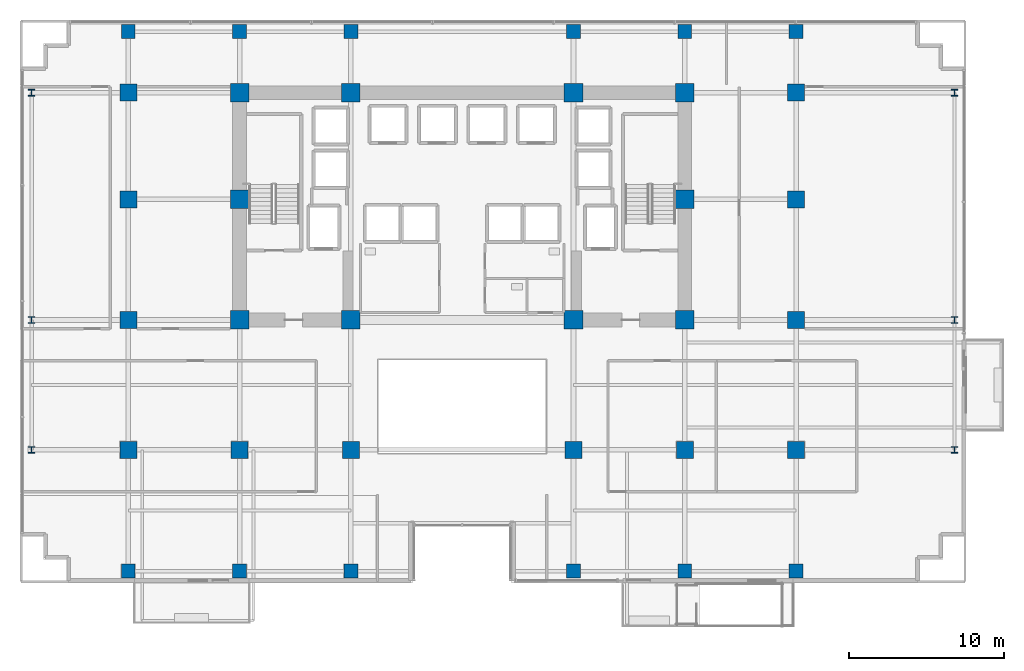
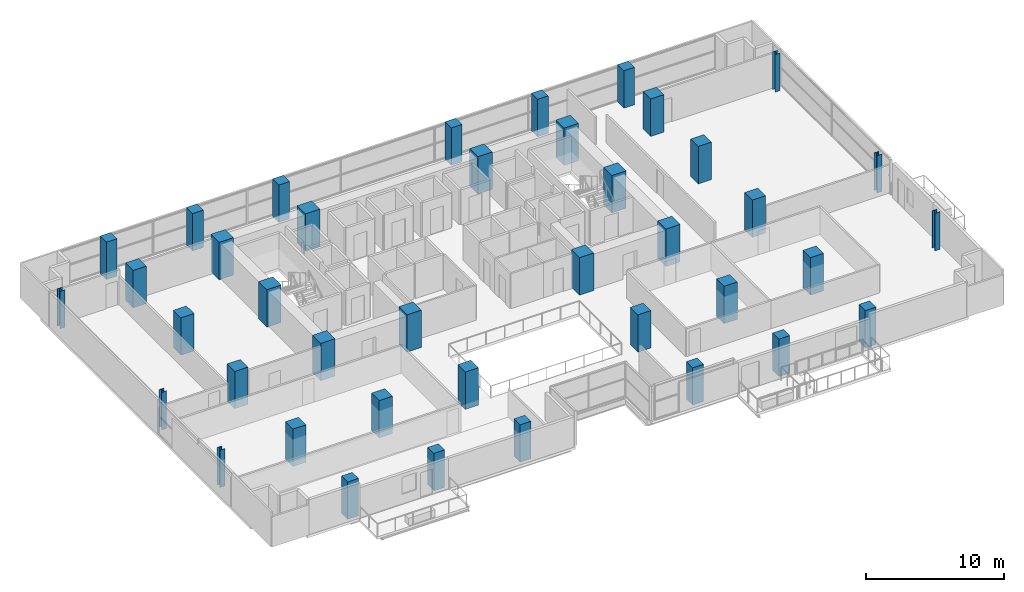
# One storey, part 1 of 28: 40 columns.
"""IFC4 building model written with IfcOpenShell, lengths in metres."""

from ifc_helpers import new_model, si_unit, direction, frame, origin, origin_2d, place, context, subcontext, project, spatial, rectangle, i_section, extrude, material, material_profile, profile_set, type_object, element, save


model = new_model("IFC4")

# Units and contexts
model_context = context("Model", 3, precision=1e-05, world=origin(), true_north=direction((0.0, 1.0)))
body_context = subcontext(model_context, "Body", "Model", "MODEL_VIEW")
ifc_project = project(units=[si_unit("LENGTHUNIT", "METRE"), si_unit("AREAUNIT", "SQUARE_METRE"), si_unit("VOLUMEUNIT", "CUBIC_METRE"), si_unit("PLANEANGLEUNIT", "RADIAN"), si_unit("MASSUNIT", "GRAM", prefix="KILO")], contexts=[model_context])

# Site, building, storey
site_placement = place(None, origin())
site = spatial("IfcSite", under=ifc_project, at=site_placement, CompositionType="ELEMENT")
building_placement = place(site_placement, origin())
building = spatial("IfcBuilding", under=site, at=building_placement, Name="Zarnakvel Exchange Tower", CompositionType="ELEMENT")
storey_placement = place(building_placement, frame((0.0, 0.0, 57.10009765625)))
storey = spatial("IfcBuildingStorey", under=building, at=storey_placement, Name="L15", CompositionType="ELEMENT", Elevation=57.10009765625)

# Columns
ifc_material_1 = material(Name="Concrete C80/95", Category="concrete")
ifc_material_profile_1 = material_profile(ifc_material_1, rectangle(XDim=1.199951171875, YDim=1.199951171875, at=origin_2d()))
ifc_profile_set_1 = profile_set([ifc_material_profile_1], Name="Concrete C80/95")
column_type_1 = type_object("IfcColumnType", Name="CC-01", PredefinedType="COLUMN", material=ifc_profile_set_1)
for number, where, z_axis, x_axis, name in (
    (1, (-14.39990234375, -1.199951171875, 0.0), (0.0, 0.0, 1.0), (1.0, 0.0, 0.0), "L15 Column C-4D (CC-01)"),
    (2, (-7.199951171875, -1.199951171875, 0.0), (0.0, 0.0, 1.0), (1.0, 0.0, 0.0), "L15 Column C-5D (CC-01)"),
    (3, (7.199951171875, -1.199951171875, 0.0), (0.0, 0.0, 1.0), (1.0, 0.0, 0.0), "L15 Column C-8D (CC-01)"),
    (4, (14.39990234375, -1.199951171875, 0.0), (0.0, 0.0, 1.0), (1.0, 0.0, 0.0), "L15 Column C-9D (CC-01)"),
    (5, (-14.39990234375, 6.60009765625, 0.0), (0.0, 0.0, 1.0), (1.0, 0.0, 0.0), "L15 Column C-4E (CC-01)"),
    (6, (14.39990234375, 6.60009765625, 0.0), (0.0, 0.0, 1.0), (1.0, 0.0, 0.0), "L15 Column C-9E (CC-01)"),
    (7, (-14.39990234375, 13.5, 0.0), (0.0, 0.0, 1.0), (1.0, 0.0, 0.0), "L15 Column C-4F (CC-01)"),
    (8, (-7.199951171875, 13.5, 0.0), (0.0, 0.0, 1.0), (1.0, 0.0, 0.0), "L15 Column C-5F (CC-01)"),
    (9, (7.199951171875, 13.5, 0.0), (0.0, 0.0, 1.0), (1.0, 0.0, 0.0), "L15 Column C-8F (CC-01)"),
    (10, (14.39990234375, 13.5, 0.0), (0.0, 0.0, 1.0), (1.0, 0.0, 0.0), "L15 Column C-9F (CC-01)"),
):
    element("IfcColumn", number, at=place(storey_placement, frame(where, z_axis=z_axis, x_axis=x_axis)), inside=storey, type_object=column_type_1, Name=name, PredefinedType="COLUMN", context=body_context, shape_type="SweptSolid", body=[
        extrude(rectangle(XDim=1.199951171875, YDim=1.199951171875, at=origin_2d()), origin(), (0.0, 0.0, 1.0), 3.2998046875),
    ])
ifc_material_2 = material(Name="Steel S355", Category="steel")
ifc_material_profile_2 = material_profile(ifc_material_2, i_section(OverallWidth=0.412109375, OverallDepth=0.425048828125, WebThickness=0.02587890625, FlangeThickness=0.0390625, FilletRadius=0.014892578125, at=origin_2d()))
ifc_profile_set_2 = profile_set([ifc_material_profile_2], Name="Steel S355")
column_type_2 = type_object("IfcColumnType", Name="SC-01", PredefinedType="COLUMN", material=ifc_profile_set_2)
for number, where, z_axis, x_axis, name in (
    (11, (-27.85009765625, -9.60009765625, 0.0), (0.0, 0.0, 1.0), (1.0, 0.0, 0.0), "L15 Column TW-C (SC-01)"),
    (12, (31.85009765625, -9.60009765625, 0.0), (0.0, 0.0, 1.0), (1.0, 0.0, 0.0), "L15 Column TE-C (SC-01)"),
    (13, (-27.85009765625, -1.199951171875, 0.0), (0.0, 0.0, 1.0), (1.0, 0.0, 0.0), "L15 Column TW-D (SC-01)"),
    (14, (31.85009765625, -1.199951171875, 0.0), (0.0, 0.0, 1.0), (1.0, 0.0, 0.0), "L15 Column TE-D (SC-01)"),
    (15, (-27.85009765625, 13.5, 0.0), (0.0, 0.0, 1.0), (1.0, 0.0, 0.0), "L15 Column TW-F (SC-01)"),
    (16, (31.85009765625, 13.5, 0.0), (0.0, 0.0, 1.0), (1.0, 0.0, 0.0), "L15 Column TE-F (SC-01)"),
):
    element("IfcColumn", number, at=place(storey_placement, frame(where, z_axis=z_axis, x_axis=x_axis)), inside=storey, type_object=column_type_2, Name=name, PredefinedType="COLUMN", context=body_context, shape_type="SweptSolid", body=[
        extrude(i_section(OverallWidth=0.412109375, OverallDepth=0.425048828125, WebThickness=0.02587890625, FlangeThickness=0.0390625, FilletRadius=0.014892578125, at=origin_2d()), origin(), (0.0, 0.0, 1.0), 3.2998046875),
    ])
ifc_material_profile_3 = material_profile(ifc_material_1, rectangle(XDim=1.10009765625, YDim=1.10009765625, at=origin_2d()))
ifc_profile_set_3 = profile_set([ifc_material_profile_3], Name="Concrete C80/95")
column_type_3 = type_object("IfcColumnType", Name="TC-01", PredefinedType="COLUMN", material=ifc_profile_set_3)
for number, where, z_axis, x_axis, name in (
    (17, (-14.39990234375, -9.60009765625, 0.0), (0.0, 0.0, 1.0), (1.0, 0.0, 0.0), "L15 Column T-4C (TC-01)"),
    (18, (-7.199951171875, -9.60009765625, 0.0), (0.0, 0.0, 1.0), (1.0, 0.0, 0.0), "L15 Column T-5C (TC-01)"),
    (19, (7.199951171875, -9.60009765625, 0.0), (0.0, 0.0, 1.0), (1.0, 0.0, 0.0), "L15 Column T-8C (TC-01)"),
    (20, (14.39990234375, -9.60009765625, 0.0), (0.0, 0.0, 1.0), (1.0, 0.0, 0.0), "L15 Column T-9C (TC-01)"),
    (21, (-21.60009765625, -9.60009765625, 0.0), (0.0, 0.0, 1.0), (1.0, 0.0, 0.0), "L15 Column T-3C (TC-01)"),
    (22, (-21.60009765625, -1.199951171875, 0.0), (0.0, 0.0, 1.0), (1.0, 0.0, 0.0), "L15 Column T-3D (TC-01)"),
    (23, (-21.60009765625, 6.60009765625, 0.0), (0.0, 0.0, 1.0), (1.0, 0.0, 0.0), "L15 Column T-3E (TC-01)"),
    (24, (-21.60009765625, 13.5, 0.0), (0.0, 0.0, 1.0), (1.0, 0.0, 0.0), "L15 Column T-3F (TC-01)"),
    (25, (21.60009765625, -9.60009765625, 0.0), (0.0, 0.0, 1.0), (1.0, 0.0, 0.0), "L15 Column T-10C (TC-01)"),
    (26, (21.60009765625, -1.199951171875, 0.0), (0.0, 0.0, 1.0), (1.0, 0.0, 0.0), "L15 Column T-10D (TC-01)"),
    (27, (21.60009765625, 6.60009765625, 0.0), (0.0, 0.0, 1.0), (1.0, 0.0, 0.0), "L15 Column T-10E (TC-01)"),
    (28, (21.60009765625, 13.5, 0.0), (0.0, 0.0, 1.0), (1.0, 0.0, 0.0), "L15 Column T-10F (TC-01)"),
):
    element("IfcColumn", number, at=place(storey_placement, frame(where, z_axis=z_axis, x_axis=x_axis)), inside=storey, type_object=column_type_3, Name=name, PredefinedType="COLUMN", context=body_context, shape_type="SweptSolid", body=[
        extrude(rectangle(XDim=1.10009765625, YDim=1.10009765625, at=origin_2d()), origin(), (0.0, 0.0, 1.0), 3.2998046875),
    ])
ifc_material_3 = material(Name="Concrete C60/75", Category="concrete")
ifc_material_profile_4 = material_profile(ifc_material_3, rectangle(XDim=0.89990234375, YDim=0.89990234375, at=origin_2d()))
ifc_profile_set_4 = profile_set([ifc_material_profile_4], Name="Concrete C60/75")
column_type_4 = type_object("IfcColumnType", Name="TC-02", PredefinedType="COLUMN", material=ifc_profile_set_4)
for number, where, z_axis, x_axis, name in (
    (29, (-14.39990234375, -17.449951171875, 0.0), (0.0, 0.0, 1.0), (1.0, 0.0, 0.0), "L15 Column TS-4 (TC-02)"),
    (30, (-14.39990234375, 17.449951171875, 0.0), (0.0, 0.0, 1.0), (1.0, 0.0, 0.0), "L15 Column TN-4 (TC-02)"),
    (31, (-7.199951171875, -17.449951171875, 0.0), (0.0, 0.0, 1.0), (1.0, 0.0, 0.0), "L15 Column TS-5 (TC-02)"),
    (32, (-7.199951171875, 17.449951171875, 0.0), (0.0, 0.0, 1.0), (1.0, 0.0, 0.0), "L15 Column TN-5 (TC-02)"),
    (33, (7.199951171875, -17.449951171875, 0.0), (0.0, 0.0, 1.0), (1.0, 0.0, 0.0), "L15 Column TS-8 (TC-02)"),
    (34, (7.199951171875, 17.449951171875, 0.0), (0.0, 0.0, 1.0), (1.0, 0.0, 0.0), "L15 Column TN-8 (TC-02)"),
    (35, (14.39990234375, -17.449951171875, 0.0), (0.0, 0.0, 1.0), (1.0, 0.0, 0.0), "L15 Column TS-9 (TC-02)"),
    (36, (14.39990234375, 17.449951171875, 0.0), (0.0, 0.0, 1.0), (1.0, 0.0, 0.0), "L15 Column TN-9 (TC-02)"),
    (37, (-21.60009765625, -17.449951171875, 0.0), (0.0, 0.0, 1.0), (1.0, 0.0, 0.0), "L15 Column TS-3 (TC-02)"),
    (38, (-21.60009765625, 17.449951171875, 0.0), (0.0, 0.0, 1.0), (1.0, 0.0, 0.0), "L15 Column TN-3 (TC-02)"),
    (39, (21.60009765625, -17.449951171875, 0.0), (0.0, 0.0, 1.0), (1.0, 0.0, 0.0), "L15 Column TS-10 (TC-02)"),
    (40, (21.60009765625, 17.449951171875, 0.0), (0.0, 0.0, 1.0), (1.0, 0.0, 0.0), "L15 Column TN-10 (TC-02)"),
):
    element("IfcColumn", number, at=place(storey_placement, frame(where, z_axis=z_axis, x_axis=x_axis)), inside=storey, type_object=column_type_4, Name=name, PredefinedType="COLUMN", context=body_context, shape_type="SweptSolid", body=[
        extrude(rectangle(XDim=0.89990234375, YDim=0.89990234375, at=origin_2d()), origin(), (0.0, 0.0, 1.0), 3.2998046875),
    ])

save(model, "model.ifc")
